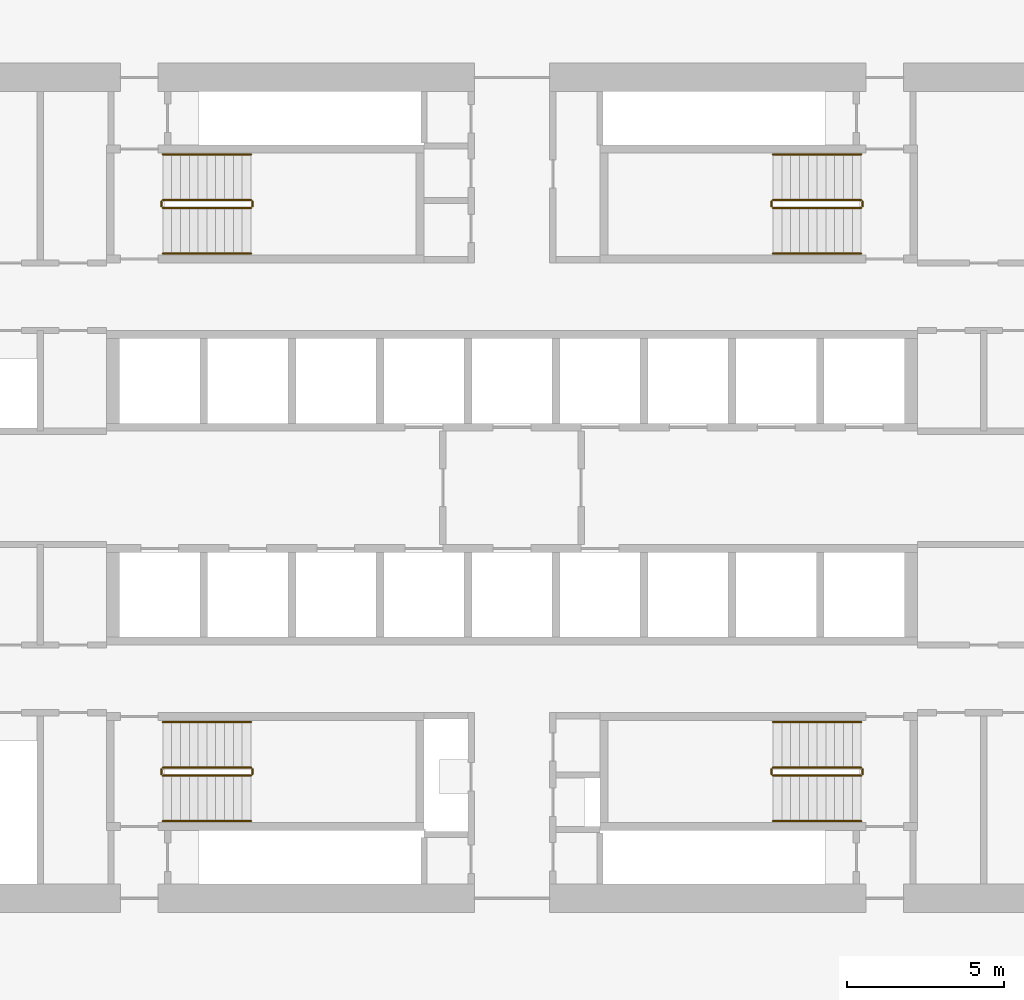
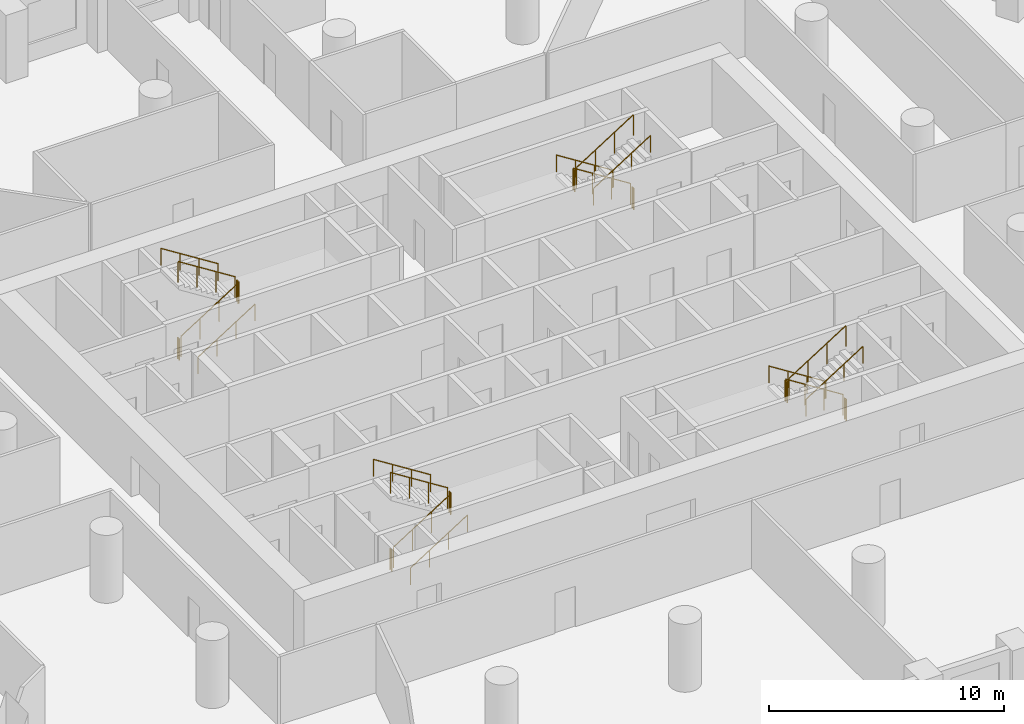
# One storey, part 10 of 10: 24 railings.
"""IFC4 building model written with IfcOpenShell, lengths in metres."""

from ifc_helpers import new_model, si_unit, direction, frame, origin, origin_2d, place, context, subcontext, project, spatial, circle, extrude, material, type_object, element, save


model = new_model("IFC4")

# Units and contexts
model_context = context("Model", 3, precision=1e-05, world=origin(), true_north=direction((0.0, 1.0)))
body_context = subcontext(model_context, "Body", "Model", "MODEL_VIEW")
ifc_project = project(units=[si_unit("LENGTHUNIT", "METRE"), si_unit("AREAUNIT", "SQUARE_METRE"), si_unit("VOLUMEUNIT", "CUBIC_METRE"), si_unit("PLANEANGLEUNIT", "RADIAN"), si_unit("MASSUNIT", "GRAM", prefix="KILO")], contexts=[model_context])

# Site, building, storey
site_placement = place(None, origin())
site = spatial("IfcSite", under=ifc_project, at=site_placement, CompositionType="ELEMENT")
building_placement = place(site_placement, origin())
building = spatial("IfcBuilding", under=site, at=building_placement, Name="Dhurran Vertical Campus", CompositionType="ELEMENT")
storey_placement = place(building_placement, frame((0.0, 0.0, 61.199951171875)))
storey = spatial("IfcBuildingStorey", under=building, at=storey_placement, Name="L14", CompositionType="ELEMENT", Elevation=61.199951171875)

# Railings
ifc_material_1 = material(Name="Stainless steel balustrade", Category="steel")
railing_type_1 = type_object("IfcRailingType", Name="co-RL-GUARD-1100", PredefinedType="GUARDRAIL", material=ifc_material_1)
railing_1_placement = place(storey_placement, frame((-11.10009765625, 8.89990234375, 0.17724609375)))
element("IfcRailing", 1, at=railing_1_placement, inside=storey, type_object=railing_type_1, Name="L14 ST1 stair guard 1", PredefinedType="GUARDRAIL", context=body_context, shape_type="SweptSolid", body=[
    extrude(circle(Radius=0.02392578125, at=origin_2d()), frame((0.0, 0.0, 1.076171875), z_axis=(0.844908973607, 0.0, 0.534910110503), x_axis=(0.0, 1.0, 0.0)), (0.0, 0.0, 1.0), 3.31396484375),
    extrude(circle(Radius=0.02099609375, at=origin_2d()), origin(), (0.0, 0.0, 1.0), 1.052001953125),
    extrude(circle(Radius=0.02099609375, at=origin_2d()), frame((0.933349609375, 0.0, 0.5908203125)), (0.0, 0.0, 1.0), 1.052001953125),
    extrude(circle(Radius=0.02099609375, at=origin_2d()), frame((1.86669921875, 0.0, 1.181884765625)), (0.0, 0.0, 1.0), 1.052001953125),
    extrude(circle(Radius=0.02099609375, at=origin_2d()), frame((2.800048828125, 0.0, 1.772705078125)), (0.0, 0.0, 1.0), 1.052001953125),
])
railing_2_placement = place(storey_placement, frame((-8.25, 8.949951171875, 1.949951171875)))
element("IfcRailing", 2, at=railing_2_placement, inside=storey, type_object=railing_type_1, Name="L14 ST1 stair guard 2", PredefinedType="GUARDRAIL", context=body_context, shape_type="SweptSolid", body=[
    extrude(circle(Radius=0.02392578125, at=origin_2d()), frame((0.0, 0.0, 1.076171875), z_axis=(0.0, 1.0, 0.0), x_axis=(-1.0, 0.0, 0.0)), (0.0, 0.0, 1.0), 0.150146484375),
    extrude(circle(Radius=0.02099609375, at=origin_2d()), origin(), (0.0, 0.0, 1.0), 1.052001953125),
    extrude(circle(Radius=0.02099609375, at=origin_2d()), frame((0.0, 0.150146484375, 0.0)), (0.0, 0.0, 1.0), 1.052001953125),
])
railing_3_placement = place(storey_placement, frame((-8.300048828125, 9.14990234375, 2.12744140625)))
element("IfcRailing", 3, at=railing_3_placement, inside=storey, type_object=railing_type_1, Name="L14 ST1 stair guard 3", PredefinedType="GUARDRAIL", context=body_context, shape_type="SweptSolid", body=[
    extrude(circle(Radius=0.02392578125, at=origin_2d()), frame((0.0, 0.0, 1.076171875), z_axis=(-0.844908973607, 0.0, 0.534910110503), x_axis=(0.0, -1.0, 0.0)), (0.0, 0.0, 1.0), 3.31396484375),
    extrude(circle(Radius=0.02099609375, at=origin_2d()), origin(), (0.0, 0.0, 1.0), 1.052001953125),
    extrude(circle(Radius=0.02099609375, at=origin_2d()), frame((-0.933349609375, 0.0, 0.5908203125)), (0.0, 0.0, 1.0), 1.052001953125),
    extrude(circle(Radius=0.02099609375, at=origin_2d()), frame((-1.86669921875, 0.0, 1.181884765625)), (0.0, 0.0, 1.0), 1.052001953125),
    extrude(circle(Radius=0.02099609375, at=origin_2d()), frame((-2.800048828125, 0.0, 1.772705078125)), (0.0, 0.0, 1.0), 1.052001953125),
])
railing_4_placement = place(storey_placement, frame((-11.14990234375, 8.949951171875, 0.0)))
element("IfcRailing", 4, at=railing_4_placement, inside=storey, type_object=railing_type_1, Name="L14 ST1 stair guard 4", PredefinedType="GUARDRAIL", context=body_context, shape_type="SweptSolid", body=[
    extrude(circle(Radius=0.02392578125, at=origin_2d()), frame((0.0, 0.0, 1.076171875), z_axis=(0.0, 1.0, 0.0), x_axis=(-1.0, 0.0, 0.0)), (0.0, 0.0, 1.0), 0.150146484375),
    extrude(circle(Radius=0.02099609375, at=origin_2d()), origin(), (0.0, 0.0, 1.0), 1.052001953125),
    extrude(circle(Radius=0.02099609375, at=origin_2d()), frame((0.0, 0.150146484375, 0.0)), (0.0, 0.0, 1.0), 1.052001953125),
])
railing_5_placement = place(storey_placement, frame((11.10009765625, 9.14990234375, 0.17724609375)))
element("IfcRailing", 5, at=railing_5_placement, inside=storey, type_object=railing_type_1, Name="L14 ST2 stair guard 1", PredefinedType="GUARDRAIL", context=body_context, shape_type="SweptSolid", body=[
    extrude(circle(Radius=0.02392578125, at=origin_2d()), frame((0.0, 0.0, 1.076171875), z_axis=(-0.844908973607, 0.0, 0.534910110503), x_axis=(0.0, -1.0, 0.0)), (0.0, 0.0, 1.0), 3.31396484375),
    extrude(circle(Radius=0.02099609375, at=origin_2d()), origin(), (0.0, 0.0, 1.0), 1.052001953125),
    extrude(circle(Radius=0.02099609375, at=origin_2d()), frame((-0.933349609375, 0.0, 0.5908203125)), (0.0, 0.0, 1.0), 1.052001953125),
    extrude(circle(Radius=0.02099609375, at=origin_2d()), frame((-1.86669921875, 0.0, 1.181884765625)), (0.0, 0.0, 1.0), 1.052001953125),
    extrude(circle(Radius=0.02099609375, at=origin_2d()), frame((-2.800048828125, 0.0, 1.772705078125)), (0.0, 0.0, 1.0), 1.052001953125),
])
railing_6_placement = place(storey_placement, frame((8.25, 9.10009765625, 1.949951171875)))
element("IfcRailing", 6, at=railing_6_placement, inside=storey, type_object=railing_type_1, Name="L14 ST2 stair guard 2", PredefinedType="GUARDRAIL", context=body_context, shape_type="SweptSolid", body=[
    extrude(circle(Radius=0.02392578125, at=origin_2d()), frame((0.0, 0.0, 1.076171875), z_axis=(0.0, -1.0, 0.0), x_axis=(1.0, 0.0, 0.0)), (0.0, 0.0, 1.0), 0.150146484375),
    extrude(circle(Radius=0.02099609375, at=origin_2d()), origin(), (0.0, 0.0, 1.0), 1.052001953125),
    extrude(circle(Radius=0.02099609375, at=origin_2d()), frame((0.0, -0.150146484375, 0.0)), (0.0, 0.0, 1.0), 1.052001953125),
])
railing_7_placement = place(storey_placement, frame((8.300048828125, 8.89990234375, 2.12744140625)))
element("IfcRailing", 7, at=railing_7_placement, inside=storey, type_object=railing_type_1, Name="L14 ST2 stair guard 3", PredefinedType="GUARDRAIL", context=body_context, shape_type="SweptSolid", body=[
    extrude(circle(Radius=0.02392578125, at=origin_2d()), frame((0.0, 0.0, 1.076171875), z_axis=(0.844908973607, 0.0, 0.534910110503), x_axis=(0.0, 1.0, 0.0)), (0.0, 0.0, 1.0), 3.31396484375),
    extrude(circle(Radius=0.02099609375, at=origin_2d()), origin(), (0.0, 0.0, 1.0), 1.052001953125),
    extrude(circle(Radius=0.02099609375, at=origin_2d()), frame((0.933349609375, 0.0, 0.5908203125)), (0.0, 0.0, 1.0), 1.052001953125),
    extrude(circle(Radius=0.02099609375, at=origin_2d()), frame((1.86669921875, 0.0, 1.181884765625)), (0.0, 0.0, 1.0), 1.052001953125),
    extrude(circle(Radius=0.02099609375, at=origin_2d()), frame((2.800048828125, 0.0, 1.772705078125)), (0.0, 0.0, 1.0), 1.052001953125),
])
railing_8_placement = place(storey_placement, frame((11.14990234375, 9.10009765625, 0.0)))
element("IfcRailing", 8, at=railing_8_placement, inside=storey, type_object=railing_type_1, Name="L14 ST2 stair guard 4", PredefinedType="GUARDRAIL", context=body_context, shape_type="SweptSolid", body=[
    extrude(circle(Radius=0.02392578125, at=origin_2d()), frame((0.0, 0.0, 1.076171875), z_axis=(0.0, -1.0, 0.0), x_axis=(1.0, 0.0, 0.0)), (0.0, 0.0, 1.0), 0.150146484375),
    extrude(circle(Radius=0.02099609375, at=origin_2d()), origin(), (0.0, 0.0, 1.0), 1.052001953125),
    extrude(circle(Radius=0.02099609375, at=origin_2d()), frame((0.0, -0.150146484375, 0.0)), (0.0, 0.0, 1.0), 1.052001953125),
])
railing_9_placement = place(storey_placement, frame((-11.10009765625, -9.14990234375, 0.17724609375)))
element("IfcRailing", 9, at=railing_9_placement, inside=storey, type_object=railing_type_1, Name="L14 ST3 stair guard 1", PredefinedType="GUARDRAIL", context=body_context, shape_type="SweptSolid", body=[
    extrude(circle(Radius=0.02392578125, at=origin_2d()), frame((0.0, 0.0, 1.076171875), z_axis=(0.844908973607, 0.0, 0.534910110503), x_axis=(0.0, 1.0, 0.0)), (0.0, 0.0, 1.0), 3.31396484375),
    extrude(circle(Radius=0.02099609375, at=origin_2d()), origin(), (0.0, 0.0, 1.0), 1.052001953125),
    extrude(circle(Radius=0.02099609375, at=origin_2d()), frame((0.933349609375, 0.0, 0.5908203125)), (0.0, 0.0, 1.0), 1.052001953125),
    extrude(circle(Radius=0.02099609375, at=origin_2d()), frame((1.86669921875, 0.0, 1.181884765625)), (0.0, 0.0, 1.0), 1.052001953125),
    extrude(circle(Radius=0.02099609375, at=origin_2d()), frame((2.800048828125, 0.0, 1.772705078125)), (0.0, 0.0, 1.0), 1.052001953125),
])
railing_10_placement = place(storey_placement, frame((-8.25, -9.10009765625, 1.949951171875)))
element("IfcRailing", 10, at=railing_10_placement, inside=storey, type_object=railing_type_1, Name="L14 ST3 stair guard 2", PredefinedType="GUARDRAIL", context=body_context, shape_type="SweptSolid", body=[
    extrude(circle(Radius=0.02392578125, at=origin_2d()), frame((0.0, 0.0, 1.076171875), z_axis=(0.0, 1.0, 0.0), x_axis=(-1.0, 0.0, 0.0)), (0.0, 0.0, 1.0), 0.150146484375),
    extrude(circle(Radius=0.02099609375, at=origin_2d()), origin(), (0.0, 0.0, 1.0), 1.052001953125),
    extrude(circle(Radius=0.02099609375, at=origin_2d()), frame((0.0, 0.150146484375, 0.0)), (0.0, 0.0, 1.0), 1.052001953125),
])
railing_11_placement = place(storey_placement, frame((-8.300048828125, -8.89990234375, 2.12744140625)))
element("IfcRailing", 11, at=railing_11_placement, inside=storey, type_object=railing_type_1, Name="L14 ST3 stair guard 3", PredefinedType="GUARDRAIL", context=body_context, shape_type="SweptSolid", body=[
    extrude(circle(Radius=0.02392578125, at=origin_2d()), frame((0.0, 0.0, 1.076171875), z_axis=(-0.844908973607, 0.0, 0.534910110503), x_axis=(0.0, -1.0, 0.0)), (0.0, 0.0, 1.0), 3.31396484375),
    extrude(circle(Radius=0.02099609375, at=origin_2d()), origin(), (0.0, 0.0, 1.0), 1.052001953125),
    extrude(circle(Radius=0.02099609375, at=origin_2d()), frame((-0.933349609375, 0.0, 0.5908203125)), (0.0, 0.0, 1.0), 1.052001953125),
    extrude(circle(Radius=0.02099609375, at=origin_2d()), frame((-1.86669921875, 0.0, 1.181884765625)), (0.0, 0.0, 1.0), 1.052001953125),
    extrude(circle(Radius=0.02099609375, at=origin_2d()), frame((-2.800048828125, 0.0, 1.772705078125)), (0.0, 0.0, 1.0), 1.052001953125),
])
railing_12_placement = place(storey_placement, frame((-11.14990234375, -9.10009765625, 0.0)))
element("IfcRailing", 12, at=railing_12_placement, inside=storey, type_object=railing_type_1, Name="L14 ST3 stair guard 4", PredefinedType="GUARDRAIL", context=body_context, shape_type="SweptSolid", body=[
    extrude(circle(Radius=0.02392578125, at=origin_2d()), frame((0.0, 0.0, 1.076171875), z_axis=(0.0, 1.0, 0.0), x_axis=(-1.0, 0.0, 0.0)), (0.0, 0.0, 1.0), 0.150146484375),
    extrude(circle(Radius=0.02099609375, at=origin_2d()), origin(), (0.0, 0.0, 1.0), 1.052001953125),
    extrude(circle(Radius=0.02099609375, at=origin_2d()), frame((0.0, 0.150146484375, 0.0)), (0.0, 0.0, 1.0), 1.052001953125),
])
railing_13_placement = place(storey_placement, frame((11.10009765625, -8.89990234375, 0.17724609375)))
element("IfcRailing", 13, at=railing_13_placement, inside=storey, type_object=railing_type_1, Name="L14 ST4 stair guard 1", PredefinedType="GUARDRAIL", context=body_context, shape_type="SweptSolid", body=[
    extrude(circle(Radius=0.02392578125, at=origin_2d()), frame((0.0, 0.0, 1.076171875), z_axis=(-0.844908973607, 0.0, 0.534910110503), x_axis=(0.0, -1.0, 0.0)), (0.0, 0.0, 1.0), 3.31396484375),
    extrude(circle(Radius=0.02099609375, at=origin_2d()), origin(), (0.0, 0.0, 1.0), 1.052001953125),
    extrude(circle(Radius=0.02099609375, at=origin_2d()), frame((-0.933349609375, 0.0, 0.5908203125)), (0.0, 0.0, 1.0), 1.052001953125),
    extrude(circle(Radius=0.02099609375, at=origin_2d()), frame((-1.86669921875, 0.0, 1.181884765625)), (0.0, 0.0, 1.0), 1.052001953125),
    extrude(circle(Radius=0.02099609375, at=origin_2d()), frame((-2.800048828125, 0.0, 1.772705078125)), (0.0, 0.0, 1.0), 1.052001953125),
])
railing_14_placement = place(storey_placement, frame((8.25, -8.949951171875, 1.949951171875)))
element("IfcRailing", 14, at=railing_14_placement, inside=storey, type_object=railing_type_1, Name="L14 ST4 stair guard 2", PredefinedType="GUARDRAIL", context=body_context, shape_type="SweptSolid", body=[
    extrude(circle(Radius=0.02392578125, at=origin_2d()), frame((0.0, 0.0, 1.076171875), z_axis=(0.0, -1.0, 0.0), x_axis=(1.0, 0.0, 0.0)), (0.0, 0.0, 1.0), 0.150146484375),
    extrude(circle(Radius=0.02099609375, at=origin_2d()), origin(), (0.0, 0.0, 1.0), 1.052001953125),
    extrude(circle(Radius=0.02099609375, at=origin_2d()), frame((0.0, -0.150146484375, 0.0)), (0.0, 0.0, 1.0), 1.052001953125),
])
railing_15_placement = place(storey_placement, frame((8.300048828125, -9.14990234375, 2.12744140625)))
element("IfcRailing", 15, at=railing_15_placement, inside=storey, type_object=railing_type_1, Name="L14 ST4 stair guard 3", PredefinedType="GUARDRAIL", context=body_context, shape_type="SweptSolid", body=[
    extrude(circle(Radius=0.02392578125, at=origin_2d()), frame((0.0, 0.0, 1.076171875), z_axis=(0.844908973607, 0.0, 0.534910110503), x_axis=(0.0, 1.0, 0.0)), (0.0, 0.0, 1.0), 3.31396484375),
    extrude(circle(Radius=0.02099609375, at=origin_2d()), origin(), (0.0, 0.0, 1.0), 1.052001953125),
    extrude(circle(Radius=0.02099609375, at=origin_2d()), frame((0.933349609375, 0.0, 0.5908203125)), (0.0, 0.0, 1.0), 1.052001953125),
    extrude(circle(Radius=0.02099609375, at=origin_2d()), frame((1.86669921875, 0.0, 1.181884765625)), (0.0, 0.0, 1.0), 1.052001953125),
    extrude(circle(Radius=0.02099609375, at=origin_2d()), frame((2.800048828125, 0.0, 1.772705078125)), (0.0, 0.0, 1.0), 1.052001953125),
])
railing_16_placement = place(storey_placement, frame((11.14990234375, -8.949951171875, 0.0)))
element("IfcRailing", 16, at=railing_16_placement, inside=storey, type_object=railing_type_1, Name="L14 ST4 stair guard 4", PredefinedType="GUARDRAIL", context=body_context, shape_type="SweptSolid", body=[
    extrude(circle(Radius=0.02392578125, at=origin_2d()), frame((0.0, 0.0, 1.076171875), z_axis=(0.0, -1.0, 0.0), x_axis=(1.0, 0.0, 0.0)), (0.0, 0.0, 1.0), 0.150146484375),
    extrude(circle(Radius=0.02099609375, at=origin_2d()), origin(), (0.0, 0.0, 1.0), 1.052001953125),
    extrude(circle(Radius=0.02099609375, at=origin_2d()), frame((0.0, -0.150146484375, 0.0)), (0.0, 0.0, 1.0), 1.052001953125),
])
ifc_material_2 = material(Name="Stainless steel handrail", Category="steel")
railing_type_2 = type_object("IfcRailingType", Name="co-RL-HANDRAIL-900", PredefinedType="HANDRAIL", material=ifc_material_2)
railing_17_placement = place(storey_placement, frame((-11.10009765625, 7.449951171875, 0.17724609375)))
element("IfcRailing", 17, at=railing_17_placement, inside=storey, type_object=railing_type_2, Name="L14 ST1 stair handrail 1", PredefinedType="HANDRAIL", context=body_context, shape_type="SweptSolid", body=[
    extrude(circle(Radius=0.02392578125, at=origin_2d()), frame((0.0, 0.0, 0.8759765625), z_axis=(0.844908973607, 0.0, 0.534910110503), x_axis=(0.0, 1.0, 0.0)), (0.0, 0.0, 1.0), 3.31396484375),
    extrude(circle(Radius=0.02099609375, at=origin_2d()), origin(), (0.0, 0.0, 1.0), 0.851806640625),
    extrude(circle(Radius=0.02099609375, at=origin_2d()), frame((0.933349609375, 0.0, 0.5908203125)), (0.0, 0.0, 1.0), 0.851806640625),
    extrude(circle(Radius=0.02099609375, at=origin_2d()), frame((1.86669921875, 0.0, 1.181884765625)), (0.0, 0.0, 1.0), 0.851806640625),
    extrude(circle(Radius=0.02099609375, at=origin_2d()), frame((2.800048828125, 0.0, 1.772705078125)), (0.0, 0.0, 1.0), 0.851806640625),
])
for number, where, name in (
    (18, (-8.300048828125, 10.60009765625, 2.12744140625), "L14 ST1 stair handrail 2"),
    (19, (11.10009765625, 10.60009765625, 0.17724609375), "L14 ST2 stair handrail 1"),
):
    element("IfcRailing", number, at=place(storey_placement, frame(where)), inside=storey, type_object=railing_type_2, Name=name, PredefinedType="HANDRAIL", context=body_context, shape_type="SweptSolid", body=[
        extrude(circle(Radius=0.02392578125, at=origin_2d()), frame((0.0, 0.0, 0.8759765625), z_axis=(-0.844908973607, 0.0, 0.534910110503), x_axis=(0.0, -1.0, 0.0)), (0.0, 0.0, 1.0), 3.31396484375),
        extrude(circle(Radius=0.02099609375, at=origin_2d()), origin(), (0.0, 0.0, 1.0), 0.851806640625),
        extrude(circle(Radius=0.02099609375, at=origin_2d()), frame((-0.933349609375, 0.0, 0.5908203125)), (0.0, 0.0, 1.0), 0.851806640625),
        extrude(circle(Radius=0.02099609375, at=origin_2d()), frame((-1.86669921875, 0.0, 1.181884765625)), (0.0, 0.0, 1.0), 0.851806640625),
        extrude(circle(Radius=0.02099609375, at=origin_2d()), frame((-2.800048828125, 0.0, 1.772705078125)), (0.0, 0.0, 1.0), 0.851806640625),
    ])
for number, where, name in (
    (20, (8.300048828125, 7.449951171875, 2.12744140625), "L14 ST2 stair handrail 2"),
    (21, (-11.10009765625, -10.60009765625, 0.17724609375), "L14 ST3 stair handrail 1"),
):
    element("IfcRailing", number, at=place(storey_placement, frame(where)), inside=storey, type_object=railing_type_2, Name=name, PredefinedType="HANDRAIL", context=body_context, shape_type="SweptSolid", body=[
        extrude(circle(Radius=0.02392578125, at=origin_2d()), frame((0.0, 0.0, 0.8759765625), z_axis=(0.844908973607, 0.0, 0.534910110503), x_axis=(0.0, 1.0, 0.0)), (0.0, 0.0, 1.0), 3.31396484375),
        extrude(circle(Radius=0.02099609375, at=origin_2d()), origin(), (0.0, 0.0, 1.0), 0.851806640625),
        extrude(circle(Radius=0.02099609375, at=origin_2d()), frame((0.933349609375, 0.0, 0.5908203125)), (0.0, 0.0, 1.0), 0.851806640625),
        extrude(circle(Radius=0.02099609375, at=origin_2d()), frame((1.86669921875, 0.0, 1.181884765625)), (0.0, 0.0, 1.0), 0.851806640625),
        extrude(circle(Radius=0.02099609375, at=origin_2d()), frame((2.800048828125, 0.0, 1.772705078125)), (0.0, 0.0, 1.0), 0.851806640625),
    ])
for number, where, name in (
    (22, (-8.300048828125, -7.449951171875, 2.12744140625), "L14 ST3 stair handrail 2"),
    (23, (11.10009765625, -7.449951171875, 0.17724609375), "L14 ST4 stair handrail 1"),
):
    element("IfcRailing", number, at=place(storey_placement, frame(where)), inside=storey, type_object=railing_type_2, Name=name, PredefinedType="HANDRAIL", context=body_context, shape_type="SweptSolid", body=[
        extrude(circle(Radius=0.02392578125, at=origin_2d()), frame((0.0, 0.0, 0.8759765625), z_axis=(-0.844908973607, 0.0, 0.534910110503), x_axis=(0.0, -1.0, 0.0)), (0.0, 0.0, 1.0), 3.31396484375),
        extrude(circle(Radius=0.02099609375, at=origin_2d()), origin(), (0.0, 0.0, 1.0), 0.851806640625),
        extrude(circle(Radius=0.02099609375, at=origin_2d()), frame((-0.933349609375, 0.0, 0.5908203125)), (0.0, 0.0, 1.0), 0.851806640625),
        extrude(circle(Radius=0.02099609375, at=origin_2d()), frame((-1.86669921875, 0.0, 1.181884765625)), (0.0, 0.0, 1.0), 0.851806640625),
        extrude(circle(Radius=0.02099609375, at=origin_2d()), frame((-2.800048828125, 0.0, 1.772705078125)), (0.0, 0.0, 1.0), 0.851806640625),
    ])
railing_18_placement = place(storey_placement, frame((8.300048828125, -10.60009765625, 2.12744140625)))
element("IfcRailing", 24, at=railing_18_placement, inside=storey, type_object=railing_type_2, Name="L14 ST4 stair handrail 2", PredefinedType="HANDRAIL", context=body_context, shape_type="SweptSolid", body=[
    extrude(circle(Radius=0.02392578125, at=origin_2d()), frame((0.0, 0.0, 0.8759765625), z_axis=(0.844908973607, 0.0, 0.534910110503), x_axis=(0.0, 1.0, 0.0)), (0.0, 0.0, 1.0), 3.31396484375),
    extrude(circle(Radius=0.02099609375, at=origin_2d()), origin(), (0.0, 0.0, 1.0), 0.851806640625),
    extrude(circle(Radius=0.02099609375, at=origin_2d()), frame((0.933349609375, 0.0, 0.5908203125)), (0.0, 0.0, 1.0), 0.851806640625),
    extrude(circle(Radius=0.02099609375, at=origin_2d()), frame((1.86669921875, 0.0, 1.181884765625)), (0.0, 0.0, 1.0), 0.851806640625),
    extrude(circle(Radius=0.02099609375, at=origin_2d()), frame((2.800048828125, 0.0, 1.772705078125)), (0.0, 0.0, 1.0), 0.851806640625),
])

save(model, "model.ifc")
